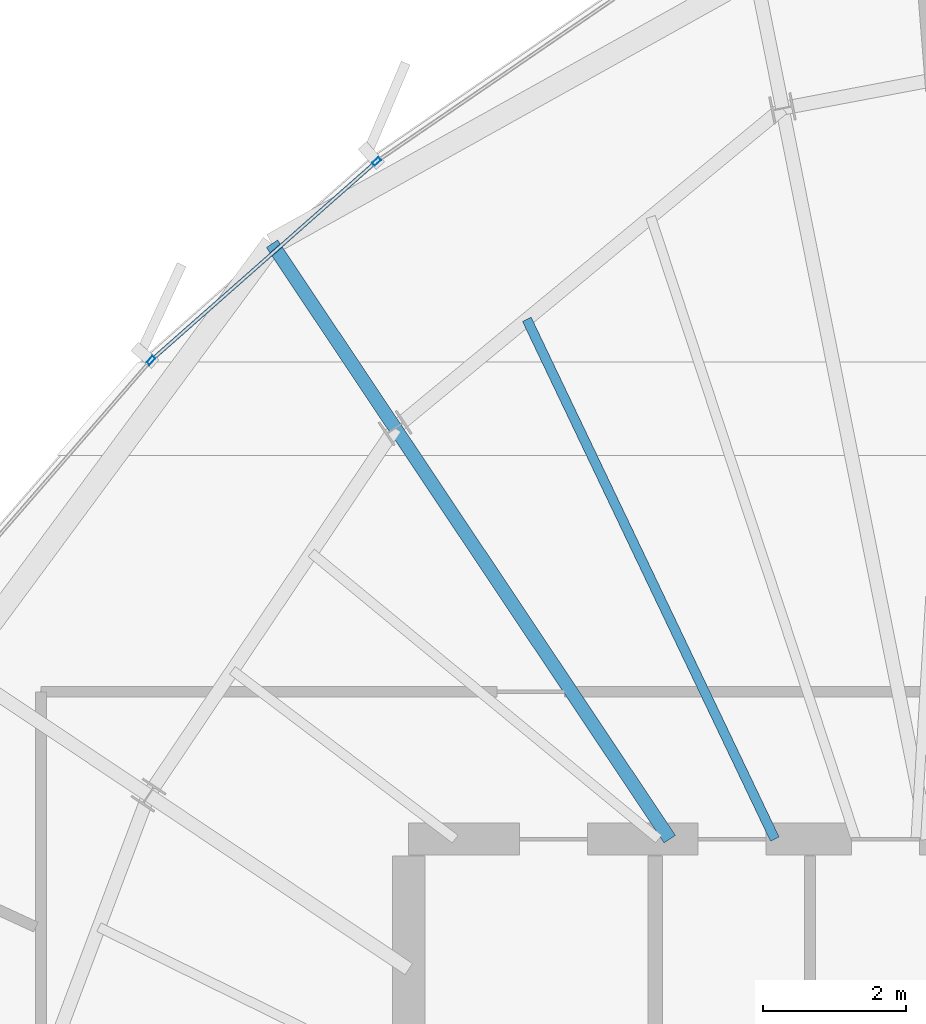
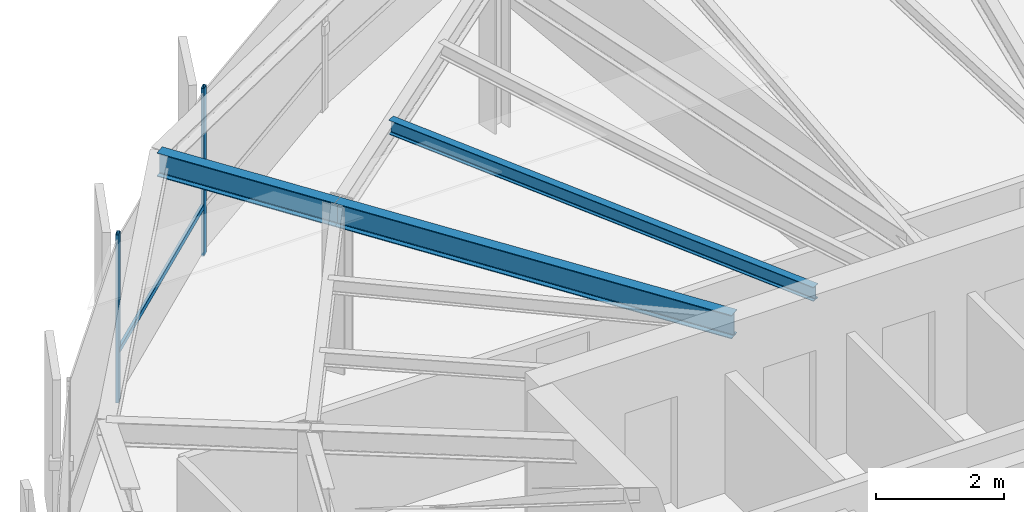
# One storey, part 20 of 35: 3 beams, 3 members, 1 element without a shape of its own.
"""IFC4 building model written with IfcOpenShell, lengths in metres."""

import ifcopenshell
import ifcopenshell.guid

model = None  # the IFC model being written
_history = None  # IfcOwnerHistory: only IFC2X3 demands one
_inside = {}  # id of a spatial element -> (the spatial element, [elements in it])
_under = {}  # id of a project, library or spatial element -> (it, [spatial elements below it])
_declared = {}  # id of a project -> (the project, [libraries it declares])
_typed = {}  # id of a type object -> (the type object, [elements of that type])
_made_of = {}  # id of a material, layer set ... -> (it, [elements and type objects made of it])


def new_model(schema):
    """Start an empty IFC model of exactly this schema.

    Asked for "IFC4X3", IfcOpenShell would pick the latest addendum, in which some entities
    have other attributes; the version numbers below select the first issue.
    IFC2X3 requires an IfcOwnerHistory on every rooted entity: one is made here for all.
    """
    global model, _history
    if schema == "IFC4X3":
        model = ifcopenshell.file(schema_version=(4, 3, 0, 0))
    else:
        model = ifcopenshell.file(schema=schema)
    _inside.clear()
    _under.clear()
    _declared.clear()
    _typed.clear()
    _made_of.clear()
    _history = None
    if model.schema == "IFC2X3":
        org = make("IfcOrganization", Name="unknown")
        user = make(
            "IfcPersonAndOrganization",
            ThePerson=make("IfcPerson", FamilyName="unknown"),
            TheOrganization=org,
        )
        app = make(
            "IfcApplication",
            ApplicationDeveloper=org,
            Version="unknown",
            ApplicationFullName="unknown",
            ApplicationIdentifier="unknown",
        )
        _history = make(
            "IfcOwnerHistory",
            OwningUser=user,
            OwningApplication=app,
            ChangeAction="ADDED",
            CreationDate=0,
        )
    return model


def make(cls, **values):
    """One entity of the class cls with the attributes given. An attribute that is None is left unset."""
    return model.create_entity(
        cls, **{name: value for name, value in values.items() if value is not None}
    )


def rooted(cls, **values):
    """An entity with a GlobalId (a new one), such as an element, a storey or a relation."""
    return make(cls, GlobalId=ifcopenshell.guid.new(), OwnerHistory=_history, **values)


def si_unit(unit_type, name, prefix=None):
    """IfcSIUnit, for example si_unit("LENGTHUNIT", "METRE", prefix="MILLI")."""
    return make("IfcSIUnit", UnitType=unit_type, Prefix=prefix, Name=name)


def assignment(units):
    """IfcUnitAssignment: the units of a project."""
    return None if units is None else make("IfcUnitAssignment", Units=units)


def point(xyz):
    """IfcCartesianPoint."""
    return None if xyz is None else make("IfcCartesianPoint", Coordinates=xyz)


def direction(xyz):
    """IfcDirection."""
    return None if xyz is None else make("IfcDirection", DirectionRatios=xyz)


def frame(location, z_axis=None, x_axis=None):
    """IfcAxis2Placement3D, a coordinate frame: its origin and axes. An axis left out is left unset."""
    return make(
        "IfcAxis2Placement3D",
        Location=point(location),
        Axis=direction(z_axis),
        RefDirection=direction(x_axis),
    )


def frame_2d(location, x_axis=None):
    """IfcAxis2Placement2D, a coordinate frame in the plane: its origin and x axis."""
    return make(
        "IfcAxis2Placement2D", Location=point(location), RefDirection=direction(x_axis)
    )


def origin():
    """The frame at (0, 0, 0) with its axes left unset."""
    return frame((0.0, 0.0, 0.0))


def origin_2d():
    """The frame at (0, 0) in the plane with its x axis left unset."""
    return frame_2d((0.0, 0.0))


def place(relative_to, where):
    """IfcLocalPlacement: puts the frame where relative to a parent placement (None: the world)."""
    return make(
        "IfcLocalPlacement", PlacementRelTo=relative_to, RelativePlacement=where
    )


def context(
    kind, dimensions, precision=None, world=None, true_north=None, identifier=None
):
    """IfcGeometricRepresentationContext, for example the 3D "Model" context."""
    return make(
        "IfcGeometricRepresentationContext",
        ContextIdentifier=identifier,
        ContextType=kind,
        CoordinateSpaceDimension=dimensions,
        Precision=precision,
        WorldCoordinateSystem=world,
        TrueNorth=true_north,
    )


def subcontext(parent, identifier, kind, view, scale=None):
    """IfcGeometricRepresentationSubContext, for example "Body" below "Model"."""
    return make(
        "IfcGeometricRepresentationSubContext",
        ContextIdentifier=identifier,
        ContextType=kind,
        ParentContext=parent,
        TargetScale=scale,
        TargetView=view,
    )


def project(units=None, contexts=None):
    """IfcProject with its units and contexts."""
    return rooted(
        "IfcProject",
        Name="project",
        RepresentationContexts=contexts,
        UnitsInContext=assignment(units),
    )


def spatial(cls, under=None, at=None, **own):
    """A site, building, storey or space (cls), placed at a placement, below another one or the project."""
    s = rooted(cls, ObjectPlacement=at, **own)
    if under is not None:
        _under.setdefault(under.id(), (under, []))[1].append(s)
    return s


def profile(cls, at=None, kind="AREA", **sizes):
    """A parametric profile (cls). Its sizes go by their IFC names, for example OverallWidth=200.0."""
    return make(cls, ProfileType=kind, Position=at, **sizes)


def hollow_rectangle(**sizes):
    """IfcRectangleHollowProfileDef."""
    return profile("IfcRectangleHollowProfileDef", **sizes)


def i_section(**sizes):
    """IfcIShapeProfileDef."""
    return profile("IfcIShapeProfileDef", **sizes)


def extrude(swept, where, along, depth):
    """IfcExtrudedAreaSolid: the profile swept, set in the frame where, extruded along a direction by depth."""
    return make(
        "IfcExtrudedAreaSolid",
        SweptArea=swept,
        Position=where,
        ExtrudedDirection=direction(along),
        Depth=depth,
    )


def shape(context_of_items, identifier, shape_type, items):
    """IfcShapeRepresentation: the items that make up one representation, for example the "Body"."""
    return make(
        "IfcShapeRepresentation",
        ContextOfItems=context_of_items,
        RepresentationIdentifier=identifier,
        RepresentationType=shape_type,
        Items=items,
    )


def source(mapping_origin, context_of_items, identifier, shape_type, items):
    """IfcRepresentationMap: a shape defined once, which mapped items show again and again."""
    return make(
        "IfcRepresentationMap",
        MappingOrigin=mapping_origin,
        MappedRepresentation=shape(context_of_items, identifier, shape_type, items),
    )


def transform(
    local_origin,
    x_axis=None,
    y_axis=None,
    z_axis=None,
    scale=None,
    scale2=None,
    scale3=None,
    uniform=True,
):
    """IfcCartesianTransformationOperator3D, or its non-uniform kind. x_axis, y_axis, z_axis: its Axis1, 2, 3."""
    if uniform:
        return make(
            "IfcCartesianTransformationOperator3D",
            Axis1=direction(x_axis),
            Axis2=direction(y_axis),
            LocalOrigin=point(local_origin),
            Scale=scale,
            Axis3=direction(z_axis),
        )
    return make(
        "IfcCartesianTransformationOperator3DnonUniform",
        Axis1=direction(x_axis),
        Axis2=direction(y_axis),
        LocalOrigin=point(local_origin),
        Scale=scale,
        Axis3=direction(z_axis),
        Scale2=scale2,
        Scale3=scale3,
    )


def mapped(mapping_source, mapping_target):
    """IfcMappedItem: shows the shape of a source again, moved by a transform."""
    return make(
        "IfcMappedItem", MappingSource=mapping_source, MappingTarget=mapping_target
    )


def material(Name=None, Category=None):
    """IfcMaterial."""
    return make("IfcMaterial", Name=Name, Category=Category)


def layer(
    of_material, thickness, ventilated=None, Name=None, Category=None, Priority=None
):
    """IfcMaterialLayer: one layer of a wall or slab, of a material (None: an air gap)."""
    return make(
        "IfcMaterialLayer",
        Material=of_material,
        LayerThickness=thickness,
        IsVentilated=ventilated,
        Name=Name,
        Category=Category,
        Priority=Priority,
    )


def layer_set(layers, Name=None):
    """IfcMaterialLayerSet."""
    return make("IfcMaterialLayerSet", MaterialLayers=layers, LayerSetName=Name)


def material_profile(
    of_material, cross_section, Name=None, Category=None, Priority=None
):
    """IfcMaterialProfile: a cross section and its material."""
    return make(
        "IfcMaterialProfile",
        Name=Name,
        Material=of_material,
        Profile=cross_section,
        Priority=Priority,
        Category=Category,
    )


def profile_set(profiles, Name=None, composite=None):
    """IfcMaterialProfileSet."""
    return make(
        "IfcMaterialProfileSet",
        Name=Name,
        MaterialProfiles=profiles,
        CompositeProfile=composite,
    )


def made_of(thing, what):
    """Note that an element or type object is made of a material, layer set ...; save() writes the relation."""
    if what is not None:
        _made_of.setdefault(what.id(), (what, []))[1].append(thing)
    return thing


def type_object(cls, material=None, **own):
    """A type object (cls), such as IfcWallType, which elements share."""
    return made_of(rooted(cls, **own), material)


def element(
    cls,
    number,
    at=None,
    inside=None,
    cuts=None,
    type_object=None,
    material=None,
    context=None,
    identifier="Body",
    shape_type=None,
    held_by="IfcProductDefinitionShape",
    body=None,
    shapes=None,
    **own,
):
    """One element of the class cls, such as IfcWall. Its Tag is "e" and its number.

    at: its placement. inside: the storey or other place that contains it. cuts: it is an
    opening in that element (IfcRelVoidsElement). A single representation is given by context,
    identifier, shape_type and body (its items); several are given by shapes. held_by: the class
    of the entity that holds the representations. save() writes the other relations.
    """
    e = rooted(cls, Tag="e%d" % number, ObjectPlacement=at, **own)
    if body is not None:
        shapes = [shape(context, identifier, shape_type, body)]
    if shapes is not None:
        e.Representation = make(held_by, Representations=shapes)
    if inside is not None:
        _inside.setdefault(inside.id(), (inside, []))[1].append(e)
    if cuts is not None:
        rooted(
            "IfcRelVoidsElement", RelatingBuildingElement=cuts, RelatedOpeningElement=e
        )
    if type_object is not None:
        _typed.setdefault(type_object.id(), (type_object, []))[1].append(e)
    return made_of(e, material)


def aggregate(whole, parts):
    """IfcRelAggregates: a whole, such as a stair, and the parts it consists of."""
    return rooted("IfcRelAggregates", RelatingObject=whole, RelatedObjects=parts)


def save(model, path):
    """Write the relations noted so far, then the file.

    IfcRelAggregates (storeys below a building ...), IfcRelContainedInSpatialStructure (elements
    in a storey), IfcRelDefinesByType, IfcRelAssociatesMaterial and IfcRelDeclares: one each for
    every whole, place, type object, material and project.
    """
    for whole, parts in _under.values():
        aggregate(whole, parts)
    for where, things in _inside.values():
        rooted(
            "IfcRelContainedInSpatialStructure",
            RelatedElements=things,
            RelatingStructure=where,
        )
    for kind, things in _typed.values():
        rooted("IfcRelDefinesByType", RelatedObjects=things, RelatingType=kind)
    for what, things in _made_of.values():
        rooted("IfcRelAssociatesMaterial", RelatedObjects=things, RelatingMaterial=what)
    for by, libraries in _declared.values():
        rooted("IfcRelDeclares", RelatingContext=by, RelatedDefinitions=libraries)
    model.write(path)


model = new_model("IFC4")

# Units and contexts
model_context = context("Model", 3, precision=1e-05, world=origin(), true_north=direction((0.0, 1.0)))
body_context = subcontext(model_context, "Body", "Model", "MODEL_VIEW")
ifc_project = project(units=[si_unit("LENGTHUNIT", "METRE"), si_unit("AREAUNIT", "SQUARE_METRE"), si_unit("VOLUMEUNIT", "CUBIC_METRE"), si_unit("PLANEANGLEUNIT", "RADIAN"), si_unit("MASSUNIT", "GRAM", prefix="KILO"), si_unit("THERMODYNAMICTEMPERATUREUNIT", "KELVIN")], contexts=[model_context])

# Site, building, storey
site_placement = place(None, origin())
site = spatial("IfcSite", under=ifc_project, at=site_placement, CompositionType="ELEMENT")
building_placement = place(site_placement, origin())
building = spatial("IfcBuilding", under=site, at=building_placement, Name="Kethvar Cultural Tower", CompositionType="ELEMENT")
storey_placement = place(building_placement, frame((0.0, 0.0, 249.10009765625)))
storey = spatial("IfcBuildingStorey", under=building, at=storey_placement, Name="L65", CompositionType="ELEMENT", Elevation=249.10009765625)

# Beams
ifc_material_1 = material(Name="Steel S355J2", Category="steel")
ifc_material_profile_1 = material_profile(ifc_material_1, i_section(OverallWidth=0.18994140625, OverallDepth=0.449951171875, WebThickness=0.009521484375, FlangeThickness=0.0146484375, FilletRadius=0.02099609375, at=origin_2d()), Name="Steel S355J2 — IPE450")
ifc_profile_set_1 = profile_set([ifc_material_profile_1], Name="Steel S355J2 — IPE450")
beam_type_1 = type_object("IfcBeamType", Name="BM-IPE450", PredefinedType="BEAM", material=ifc_profile_set_1)
shared_shape_1 = source(origin(), body_context, "Body", "SweptSolid", [
    extrude(i_section(OverallWidth=0.18994140625, OverallDepth=0.449951171875, WebThickness=0.009521484375, FlangeThickness=0.0146484375, FilletRadius=0.02099609375, at=origin_2d()), origin(), (0.0, 0.0, 1.0), 6.921630859375),
])
beam_1_placement = place(storey_placement, frame((41.655029296875, 35.5, 2.98291015625), z_axis=(-0.555570841874, 0.831469205479, 0.0), x_axis=(-0.831469205479, -0.555570841874, 0.0)))
element("IfcBeam", 1, at=beam_1_placement, inside=storey, type_object=beam_type_1, Name="L65 Primary Radial Beam RB-06", PredefinedType="BEAM", context=body_context, shape_type="MappedRepresentation", body=[
    mapped(shared_shape_1, transform((0.0, 0.0, 0.0), scale=1.0)),
])
ifc_material_profile_2 = material_profile(ifc_material_1, i_section(OverallWidth=0.135009765625, OverallDepth=0.27001953125, WebThickness=0.006591796875, FlangeThickness=0.01025390625, FilletRadius=0.014892578125, at=origin_2d()), Name="Steel S355J2 — IPE270")
ifc_profile_set_2 = profile_set([ifc_material_profile_2], Name="Steel S355J2 — IPE270")
beam_type_2 = type_object("IfcBeamType", Name="BM-J270", PredefinedType="JOIST", material=ifc_profile_set_2)
shared_shape_2 = source(origin(), body_context, "Body", "SweptSolid", [
    extrude(i_section(OverallWidth=0.135009765625, OverallDepth=0.27001953125, WebThickness=0.006591796875, FlangeThickness=0.01025390625, FilletRadius=0.014892578125, at=origin_2d()), origin(), (0.0, 0.0, 1.0), 8.063232421875),
])
beam_2_placement = place(storey_placement, frame((43.1259765625, 35.5, 3.072998046875), z_axis=(-0.430642151588, 0.902522762746, 0.0), x_axis=(-0.902522762746, -0.430642151588, 0.0)))
element("IfcBeam", 2, at=beam_2_placement, inside=storey, type_object=beam_type_2, Name="L65 Composite Floor Joist J-05B", PredefinedType="JOIST", context=body_context, shape_type="MappedRepresentation", body=[
    mapped(shared_shape_2, transform((0.0, 0.0, 0.0), scale=1.0)),
])
shared_shape_3 = source(origin(), body_context, "Body", "SweptSolid", [
    extrude(i_section(OverallWidth=0.18994140625, OverallDepth=0.449951171875, WebThickness=0.009521484375, FlangeThickness=0.0146484375, FilletRadius=0.02099609375, at=origin_2d()), origin(), (0.0, 0.0, 1.0), 3.103759765625),
])
beam_3_placement = place(storey_placement, frame((37.8095703125, 41.255126953125, 2.98291015625), z_axis=(-0.555589364409, 0.831456828798, 0.0), x_axis=(-0.831456828798, -0.555589364409, 0.0)))
element("IfcBeam", 3, at=beam_3_placement, inside=storey, type_object=beam_type_1, Name="L65 Perimeter Cantilever Beam RC-06", PredefinedType="BEAM", context=body_context, shape_type="MappedRepresentation", body=[
    mapped(shared_shape_3, transform((0.0, 0.0, 0.0), scale=1.0)),
])

# Curtain wall, members
ifc_material_2 = material(Name="Aluminium 6063-T6", Category="aluminium")
ifc_layer = layer(ifc_material_2, 0.179931640625, Name="Aluminium 6063-T6", Category="aluminium")
ifc_layer_set = layer_set([ifc_layer], Name="Aluminium 6063-T6 (180 mm)")
curtain_wall_type = type_object("IfcCurtainWallType", Name="CW-SYS-05-Z56", PredefinedType="NOTDEFINED", material=ifc_layer_set)
curtain_wall_placement = place(storey_placement, origin())
curtain_wall = element("IfcCurtainWall", 4, at=curtain_wall_placement, inside=storey, type_object=curtain_wall_type, Name="L65 Curtain Wall Run 02", PredefinedType="NOTDEFINED")
ifc_material_profile_3 = material_profile(ifc_material_2, hollow_rectangle(XDim=0.054931640625, YDim=0.1201171875, WallThickness=0.00390625, at=origin_2d()), Name="Aluminium 6063-T6 — RHS120x55x4")
ifc_profile_set_3 = profile_set([ifc_material_profile_3], Name="Aluminium 6063-T6 — RHS120x55x4")
member_type_1 = type_object("IfcMemberType", Name="CW-SYS-05-Z56-MUL", PredefinedType="MULLION", material=ifc_profile_set_3)
shared_shape_4 = source(origin(), body_context, "Body", "SweptSolid", [
    extrude(hollow_rectangle(XDim=0.054931640625, YDim=0.1201171875, WallThickness=0.00390625, at=origin_2d()), origin(), (0.0, 0.0, 1.0), 3.2099609375),
])
member_1_placement = place(storey_placement, frame((37.549072265625, 44.988525390625, 0.0), z_axis=(0.0, 0.0, 1.0), x_axis=(0.661665273397, -0.74979935048, 0.0)))
member_1 = element("IfcMember", 5, at=member_1_placement, type_object=member_type_1, Name="CW-L65-R02 Mullion 2", PredefinedType="MULLION", context=body_context, shape_type="MappedRepresentation", body=[
    mapped(shared_shape_4, transform((0.0, 0.0, 0.0), scale=1.0)),
])
member_2_placement = place(storey_placement, frame((34.388671875, 42.201171875, 0.0), z_axis=(0.0, 0.0, 1.0), x_axis=(0.755316127923, -0.65536062355, 0.0)))
member_2 = element("IfcMember", 6, at=member_2_placement, type_object=member_type_1, Name="CW-L65-R02 Mullion 3", PredefinedType="MULLION", context=body_context, shape_type="MappedRepresentation", body=[
    mapped(shared_shape_4, transform((0.0, 0.0, 0.0), scale=1.0)),
])
ifc_material_profile_4 = material_profile(ifc_material_2, hollow_rectangle(XDim=0.050048828125, YDim=0.10009765625, WallThickness=0.00390625, at=origin_2d()), Name="Aluminium 6063-T6 — RHS100x50x4")
ifc_profile_set_4 = profile_set([ifc_material_profile_4], Name="Aluminium 6063-T6 — RHS100x50x4")
member_type_2 = type_object("IfcMemberType", Name="CW-SYS-05-Z56-TRN", PredefinedType="USERDEFINED", material=ifc_profile_set_4)
shared_shape_5 = source(origin(), body_context, "Body", "SweptSolid", [
    extrude(hollow_rectangle(XDim=0.050048828125, YDim=0.10009765625, WallThickness=0.00390625, at=origin_2d()), origin(), (0.0, 0.0, 1.0), 4.14794921875),
])
member_3_placement = place(storey_placement, frame((37.519287109375, 44.96240234375, 0.949951171875), z_axis=(-0.749788041776, -0.661678088205, 0.0), x_axis=(0.661678088205, -0.749788041776, 0.0)))
member_3 = element("IfcMember", 7, at=member_3_placement, type_object=member_type_2, Name="CW-L65-R02 Transom 2", ObjectType="TRANSOM", PredefinedType="USERDEFINED", context=body_context, shape_type="MappedRepresentation", body=[
    mapped(shared_shape_5, transform((0.0, 0.0, 0.0), scale=1.0)),
])
aggregate(curtain_wall, [member_1, member_2, member_3])

save(model, "model.ifc")
